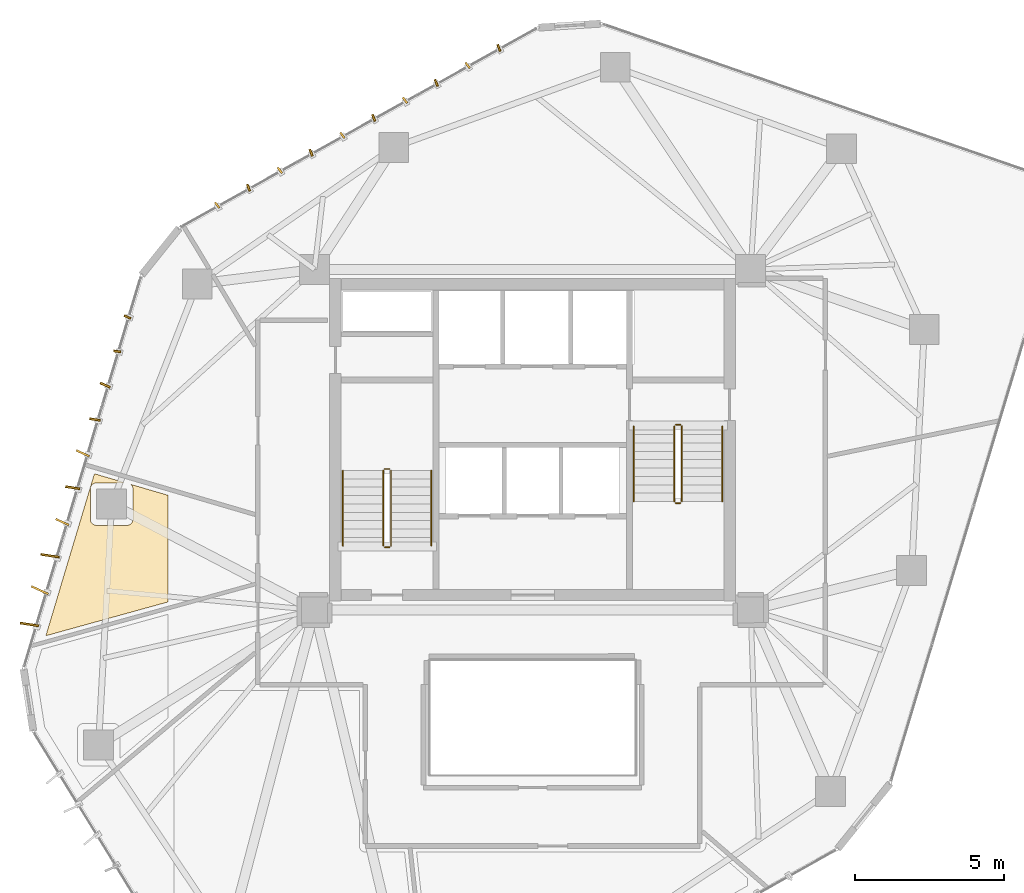
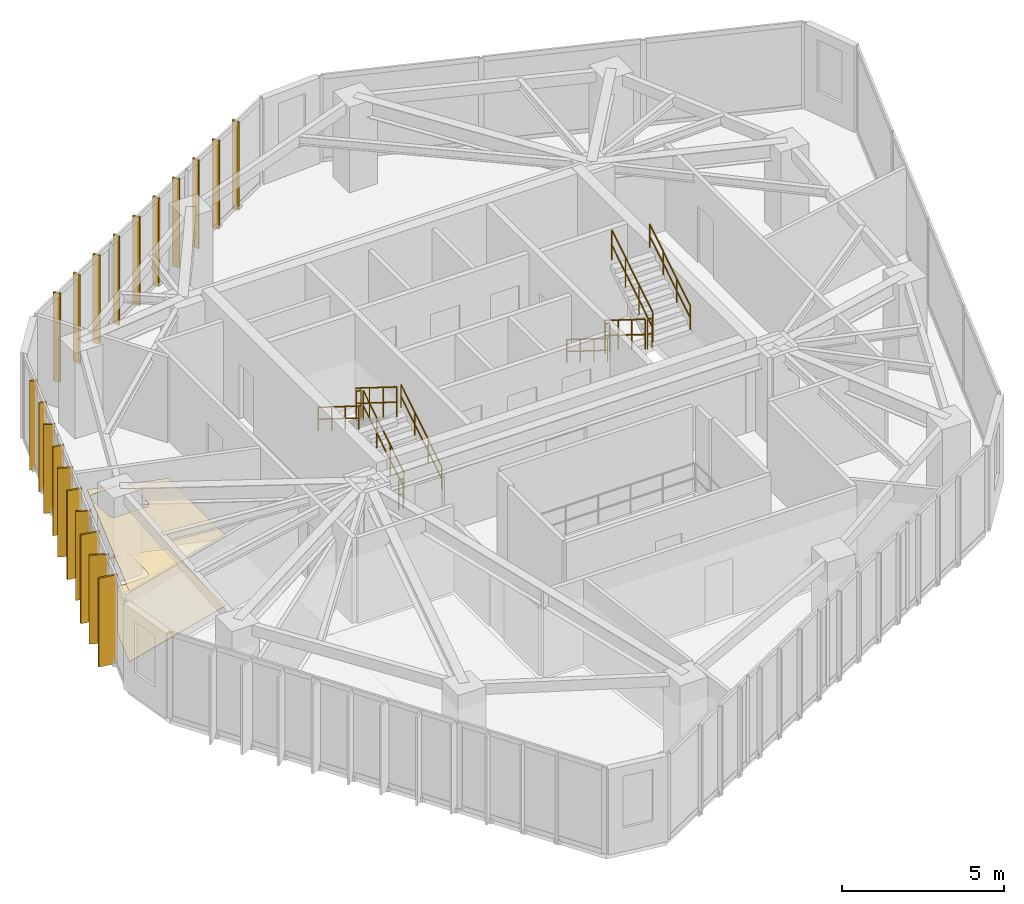
# One storey, part 19 of 19: 20 shading devices, 12 railings, 2 coverings.
"""IFC4 building model written with IfcOpenShell, lengths in metres."""

from ifc_helpers import new_model, si_unit, direction, frame, origin, origin_2d, place, context, subcontext, project, spatial, polyline, rectangle, circle, outline, extrude, source, transform, mapped, material, layer, layer_set, type_object, type_shapes, element, save


model = new_model("IFC4")

# Units and contexts
model_context = context("Model", 3, precision=1e-05, world=origin(), true_north=direction((0.0, 1.0)))
body_context = subcontext(model_context, "Body", "Model", "MODEL_VIEW")
ifc_project = project(units=[si_unit("LENGTHUNIT", "METRE"), si_unit("AREAUNIT", "SQUARE_METRE"), si_unit("VOLUMEUNIT", "CUBIC_METRE"), si_unit("PLANEANGLEUNIT", "RADIAN"), si_unit("MASSUNIT", "GRAM", prefix="KILO")], contexts=[model_context])

# Site, building, storey
site_placement = place(None, origin())
site = spatial("IfcSite", under=ifc_project, at=site_placement, CompositionType="ELEMENT")
building_placement = place(site_placement, origin())
building = spatial("IfcBuilding", under=site, at=building_placement, Name="Talar Marvaseh", CompositionType="ELEMENT")
storey_placement = place(building_placement, frame((0.0, 0.0, 177.5)))
storey = spatial("IfcBuildingStorey", under=building, at=storey_placement, Name="L46", CompositionType="ELEMENT", Elevation=177.5)

# Railings
ifc_material_1 = material(Name="Stainless Steel Grade 316", Category="steel")
railing_type_1 = type_object("IfcRailingType", Name="Brushed Stainless Wall Pitch Handrail 900", PredefinedType="HANDRAIL", material=ifc_material_1)
railing_1_placement = place(storey_placement, frame((22.610107421875, 27.64990234375, 0.175048828125)))
element("IfcRailing", 1, at=railing_1_placement, inside=storey, type_object=railing_type_1, Name="L46 ST-1 stair handrail 1", PredefinedType="HANDRAIL", context=body_context, shape_type="SweptSolid", body=[
    extrude(circle(Radius=0.02392578125, at=origin_2d()), frame((0.0, 0.0, 0.8759765625), z_axis=(0.0, 0.848007534815, 0.529984170421), x_axis=(-1.0, 0.0, 0.0)), (0.0, 0.0, 1.0), 2.9716796875),
    extrude(circle(Radius=0.02392578125, at=origin_2d()), frame((0.0, 0.0, 0.42578125), z_axis=(0.0, 0.848007534815, 0.529984170421), x_axis=(-1.0, 0.0, 0.0)), (0.0, 0.0, 1.0), 2.9716796875),
    extrude(circle(Radius=0.02099609375, at=origin_2d()), origin(), (0.0, 0.0, 1.0), 0.851806640625),
    extrude(circle(Radius=0.02099609375, at=origin_2d()), frame((0.0, 0.840087890625, 0.52490234375)), (0.0, 0.0, 1.0), 0.851806640625),
    extrude(circle(Radius=0.02099609375, at=origin_2d()), frame((0.0, 1.679931640625, 1.050048828125)), (0.0, 0.0, 1.0), 0.851806640625),
    extrude(circle(Radius=0.02099609375, at=origin_2d()), frame((0.0, 2.52001953125, 1.574951171875)), (0.0, 0.0, 1.0), 0.851806640625),
])
for number, where, name in (
    (2, (19.64990234375, 30.169921875, 1.925048828125), "L46 ST-1 stair handrail 2"),
    (3, (29.389892578125, 31.64990234375, 0.175048828125), "L46 ST-2 stair handrail 1"),
):
    element("IfcRailing", number, at=place(storey_placement, frame(where)), inside=storey, type_object=railing_type_1, Name=name, PredefinedType="HANDRAIL", context=body_context, shape_type="SweptSolid", body=[
        extrude(circle(Radius=0.02392578125, at=origin_2d()), frame((0.0, 0.0, 0.8759765625), z_axis=(0.0, -0.848007534815, 0.529984170421), x_axis=(1.0, 0.0, 0.0)), (0.0, 0.0, 1.0), 2.9716796875),
        extrude(circle(Radius=0.02392578125, at=origin_2d()), frame((0.0, 0.0, 0.42578125), z_axis=(0.0, -0.848007534815, 0.529984170421), x_axis=(1.0, 0.0, 0.0)), (0.0, 0.0, 1.0), 2.9716796875),
        extrude(circle(Radius=0.02099609375, at=origin_2d()), origin(), (0.0, 0.0, 1.0), 0.851806640625),
        extrude(circle(Radius=0.02099609375, at=origin_2d()), frame((0.0, -0.840087890625, 0.52490234375)), (0.0, 0.0, 1.0), 0.851806640625),
        extrude(circle(Radius=0.02099609375, at=origin_2d()), frame((0.0, -1.679931640625, 1.050048828125)), (0.0, 0.0, 1.0), 0.851806640625),
        extrude(circle(Radius=0.02099609375, at=origin_2d()), frame((0.0, -2.52001953125, 1.574951171875)), (0.0, 0.0, 1.0), 0.851806640625),
    ])
railing_2_placement = place(storey_placement, frame((32.35009765625, 29.1298828125, 1.925048828125)))
element("IfcRailing", 4, at=railing_2_placement, inside=storey, type_object=railing_type_1, Name="L46 ST-2 stair handrail 2", PredefinedType="HANDRAIL", context=body_context, shape_type="SweptSolid", body=[
    extrude(circle(Radius=0.02392578125, at=origin_2d()), frame((0.0, 0.0, 0.8759765625), z_axis=(0.0, 0.848007534815, 0.529984170421), x_axis=(-1.0, 0.0, 0.0)), (0.0, 0.0, 1.0), 2.9716796875),
    extrude(circle(Radius=0.02392578125, at=origin_2d()), frame((0.0, 0.0, 0.42578125), z_axis=(0.0, 0.848007534815, 0.529984170421), x_axis=(-1.0, 0.0, 0.0)), (0.0, 0.0, 1.0), 2.9716796875),
    extrude(circle(Radius=0.02099609375, at=origin_2d()), origin(), (0.0, 0.0, 1.0), 0.851806640625),
    extrude(circle(Radius=0.02099609375, at=origin_2d()), frame((0.0, 0.840087890625, 0.52490234375)), (0.0, 0.0, 1.0), 0.851806640625),
    extrude(circle(Radius=0.02099609375, at=origin_2d()), frame((0.0, 1.679931640625, 1.050048828125)), (0.0, 0.0, 1.0), 0.851806640625),
    extrude(circle(Radius=0.02099609375, at=origin_2d()), frame((0.0, 2.52001953125, 1.574951171875)), (0.0, 0.0, 1.0), 0.851806640625),
])
railing_type_2 = type_object("IfcRailingType", Name="Painted Steel Core Stair Well Guardrail 1150", PredefinedType="GUARDRAIL", material=ifc_material_1)
railing_3_placement = place(storey_placement, frame((21.260009765625, 27.64990234375, 0.175048828125)))
element("IfcRailing", 5, at=railing_3_placement, inside=storey, type_object=railing_type_2, Name="L46 ST-1 stair guard 1", PredefinedType="GUARDRAIL", context=body_context, shape_type="SweptSolid", body=[
    extrude(circle(Radius=0.02392578125, at=origin_2d()), frame((0.0, 0.0, 1.1259765625), z_axis=(0.0, 0.848007534815, 0.529984170421), x_axis=(-1.0, 0.0, 0.0)), (0.0, 0.0, 1.0), 2.9716796875),
    extrude(circle(Radius=0.02392578125, at=origin_2d()), frame((0.0, 0.0, 0.55078125), z_axis=(0.0, 0.848007534815, 0.529984170421), x_axis=(-1.0, 0.0, 0.0)), (0.0, 0.0, 1.0), 2.9716796875),
    extrude(circle(Radius=0.02099609375, at=origin_2d()), origin(), (0.0, 0.0, 1.0), 1.101806640625),
    extrude(circle(Radius=0.02099609375, at=origin_2d()), frame((0.0, 0.840087890625, 0.52490234375)), (0.0, 0.0, 1.0), 1.101806640625),
    extrude(circle(Radius=0.02099609375, at=origin_2d()), frame((0.0, 1.679931640625, 1.050048828125)), (0.0, 0.0, 1.0), 1.101806640625),
    extrude(circle(Radius=0.02099609375, at=origin_2d()), frame((0.0, 2.52001953125, 1.574951171875)), (0.0, 0.0, 1.0), 1.101806640625),
])
railing_4_placement = place(storey_placement, frame((21.2099609375, 30.219970703125, 1.75)))
element("IfcRailing", 6, at=railing_4_placement, inside=storey, type_object=railing_type_2, Name="L46 ST-1 stair guard 2", PredefinedType="GUARDRAIL", context=body_context, shape_type="SweptSolid", body=[
    extrude(circle(Radius=0.02392578125, at=origin_2d()), frame((0.0, 0.0, 1.1259765625), z_axis=(-1.0, 0.0, 0.0), x_axis=(0.0, -1.0, 0.0)), (0.0, 0.0, 1.0), 0.159912109375),
    extrude(circle(Radius=0.02392578125, at=origin_2d()), frame((0.0, 0.0, 0.55078125), z_axis=(-1.0, 0.0, 0.0), x_axis=(0.0, -1.0, 0.0)), (0.0, 0.0, 1.0), 0.159912109375),
    extrude(circle(Radius=0.02099609375, at=origin_2d()), origin(), (0.0, 0.0, 1.0), 1.101806640625),
    extrude(circle(Radius=0.02099609375, at=origin_2d()), frame((-0.159912109375, 0.0, 0.0)), (0.0, 0.0, 1.0), 1.101806640625),
])
railing_5_placement = place(storey_placement, frame((21.0, 30.169921875, 1.925048828125)))
element("IfcRailing", 7, at=railing_5_placement, inside=storey, type_object=railing_type_2, Name="L46 ST-1 stair guard 3", PredefinedType="GUARDRAIL", context=body_context, shape_type="SweptSolid", body=[
    extrude(circle(Radius=0.02392578125, at=origin_2d()), frame((0.0, 0.0, 1.1259765625), z_axis=(0.0, -0.848007534815, 0.529984170421), x_axis=(1.0, 0.0, 0.0)), (0.0, 0.0, 1.0), 2.9716796875),
    extrude(circle(Radius=0.02392578125, at=origin_2d()), frame((0.0, 0.0, 0.55078125), z_axis=(0.0, -0.848007534815, 0.529984170421), x_axis=(1.0, 0.0, 0.0)), (0.0, 0.0, 1.0), 2.9716796875),
    extrude(circle(Radius=0.02099609375, at=origin_2d()), origin(), (0.0, 0.0, 1.0), 1.101806640625),
    extrude(circle(Radius=0.02099609375, at=origin_2d()), frame((0.0, -0.840087890625, 0.52490234375)), (0.0, 0.0, 1.0), 1.101806640625),
    extrude(circle(Radius=0.02099609375, at=origin_2d()), frame((0.0, -1.679931640625, 1.050048828125)), (0.0, 0.0, 1.0), 1.101806640625),
    extrude(circle(Radius=0.02099609375, at=origin_2d()), frame((0.0, -2.52001953125, 1.574951171875)), (0.0, 0.0, 1.0), 1.101806640625),
])
railing_6_placement = place(storey_placement, frame((21.2099609375, 27.60009765625, 0.0)))
element("IfcRailing", 8, at=railing_6_placement, inside=storey, type_object=railing_type_2, Name="L46 ST-1 stair guard 4", PredefinedType="GUARDRAIL", context=body_context, shape_type="SweptSolid", body=[
    extrude(circle(Radius=0.02392578125, at=origin_2d()), frame((0.0, 0.0, 1.1259765625), z_axis=(-1.0, 0.0, 0.0), x_axis=(0.0, -1.0, 0.0)), (0.0, 0.0, 1.0), 0.159912109375),
    extrude(circle(Radius=0.02392578125, at=origin_2d()), frame((0.0, 0.0, 0.55078125), z_axis=(-1.0, 0.0, 0.0), x_axis=(0.0, -1.0, 0.0)), (0.0, 0.0, 1.0), 0.159912109375),
    extrude(circle(Radius=0.02099609375, at=origin_2d()), origin(), (0.0, 0.0, 1.0), 1.101806640625),
    extrude(circle(Radius=0.02099609375, at=origin_2d()), frame((-0.159912109375, 0.0, 0.0)), (0.0, 0.0, 1.0), 1.101806640625),
])
railing_7_placement = place(storey_placement, frame((30.739990234375, 31.64990234375, 0.175048828125)))
element("IfcRailing", 9, at=railing_7_placement, inside=storey, type_object=railing_type_2, Name="L46 ST-2 stair guard 1", PredefinedType="GUARDRAIL", context=body_context, shape_type="SweptSolid", body=[
    extrude(circle(Radius=0.02392578125, at=origin_2d()), frame((0.0, 0.0, 1.1259765625), z_axis=(0.0, -0.848007534815, 0.529984170421), x_axis=(1.0, 0.0, 0.0)), (0.0, 0.0, 1.0), 2.9716796875),
    extrude(circle(Radius=0.02392578125, at=origin_2d()), frame((0.0, 0.0, 0.55078125), z_axis=(0.0, -0.848007534815, 0.529984170421), x_axis=(1.0, 0.0, 0.0)), (0.0, 0.0, 1.0), 2.9716796875),
    extrude(circle(Radius=0.02099609375, at=origin_2d()), origin(), (0.0, 0.0, 1.0), 1.101806640625),
    extrude(circle(Radius=0.02099609375, at=origin_2d()), frame((0.0, -0.840087890625, 0.52490234375)), (0.0, 0.0, 1.0), 1.101806640625),
    extrude(circle(Radius=0.02099609375, at=origin_2d()), frame((0.0, -1.679931640625, 1.050048828125)), (0.0, 0.0, 1.0), 1.101806640625),
    extrude(circle(Radius=0.02099609375, at=origin_2d()), frame((0.0, -2.52001953125, 1.574951171875)), (0.0, 0.0, 1.0), 1.101806640625),
])
railing_8_placement = place(storey_placement, frame((30.7900390625, 29.080078125, 1.75)))
element("IfcRailing", 10, at=railing_8_placement, inside=storey, type_object=railing_type_2, Name="L46 ST-2 stair guard 2", PredefinedType="GUARDRAIL", context=body_context, shape_type="SweptSolid", body=[
    extrude(circle(Radius=0.02392578125, at=origin_2d()), frame((0.0, 0.0, 1.1259765625), z_axis=(1.0, 0.0, 0.0), x_axis=(0.0, 1.0, 0.0)), (0.0, 0.0, 1.0), 0.159912109375),
    extrude(circle(Radius=0.02392578125, at=origin_2d()), frame((0.0, 0.0, 0.55078125), z_axis=(1.0, 0.0, 0.0), x_axis=(0.0, 1.0, 0.0)), (0.0, 0.0, 1.0), 0.159912109375),
    extrude(circle(Radius=0.02099609375, at=origin_2d()), origin(), (0.0, 0.0, 1.0), 1.101806640625),
    extrude(circle(Radius=0.02099609375, at=origin_2d()), frame((0.159912109375, 0.0, 0.0)), (0.0, 0.0, 1.0), 1.101806640625),
])
railing_9_placement = place(storey_placement, frame((31.0, 29.1298828125, 1.925048828125)))
element("IfcRailing", 11, at=railing_9_placement, inside=storey, type_object=railing_type_2, Name="L46 ST-2 stair guard 3", PredefinedType="GUARDRAIL", context=body_context, shape_type="SweptSolid", body=[
    extrude(circle(Radius=0.02392578125, at=origin_2d()), frame((0.0, 0.0, 1.1259765625), z_axis=(0.0, 0.848007534815, 0.529984170421), x_axis=(-1.0, 0.0, 0.0)), (0.0, 0.0, 1.0), 2.9716796875),
    extrude(circle(Radius=0.02392578125, at=origin_2d()), frame((0.0, 0.0, 0.55078125), z_axis=(0.0, 0.848007534815, 0.529984170421), x_axis=(-1.0, 0.0, 0.0)), (0.0, 0.0, 1.0), 2.9716796875),
    extrude(circle(Radius=0.02099609375, at=origin_2d()), origin(), (0.0, 0.0, 1.0), 1.101806640625),
    extrude(circle(Radius=0.02099609375, at=origin_2d()), frame((0.0, 0.840087890625, 0.52490234375)), (0.0, 0.0, 1.0), 1.101806640625),
    extrude(circle(Radius=0.02099609375, at=origin_2d()), frame((0.0, 1.679931640625, 1.050048828125)), (0.0, 0.0, 1.0), 1.101806640625),
    extrude(circle(Radius=0.02099609375, at=origin_2d()), frame((0.0, 2.52001953125, 1.574951171875)), (0.0, 0.0, 1.0), 1.101806640625),
])
railing_10_placement = place(storey_placement, frame((30.7900390625, 31.699951171875, 0.0)))
element("IfcRailing", 12, at=railing_10_placement, inside=storey, type_object=railing_type_2, Name="L46 ST-2 stair guard 4", PredefinedType="GUARDRAIL", context=body_context, shape_type="SweptSolid", body=[
    extrude(circle(Radius=0.02392578125, at=origin_2d()), frame((0.0, 0.0, 1.1259765625), z_axis=(1.0, 0.0, 0.0), x_axis=(0.0, 1.0, 0.0)), (0.0, 0.0, 1.0), 0.159912109375),
    extrude(circle(Radius=0.02392578125, at=origin_2d()), frame((0.0, 0.0, 0.55078125), z_axis=(1.0, 0.0, 0.0), x_axis=(0.0, 1.0, 0.0)), (0.0, 0.0, 1.0), 0.159912109375),
    extrude(circle(Radius=0.02099609375, at=origin_2d()), origin(), (0.0, 0.0, 1.0), 1.101806640625),
    extrude(circle(Radius=0.02099609375, at=origin_2d()), frame((0.159912109375, 0.0, 0.0)), (0.0, 0.0, 1.0), 1.101806640625),
])

# Coverings
ifc_material_2 = material(Name="Mineral Fibre Acoustic Ceiling")
ifc_layer_1 = layer(ifc_material_2, 0.02490234375)
ifc_layer_set_1 = layer_set([ifc_layer_1], Name="Mineral Fibre Acoustic Ceiling")
covering_type_1 = type_object("IfcCoveringType", Name="Perforated Mineral Fibre Acoustic Suspended Ceiling", PredefinedType="CEILING", material=ifc_layer_set_1)
covering_1_placement = place(storey_placement, frame((0.0, 0.0, 2.64990234375)))
element("IfcCovering", 13, at=covering_1_placement, inside=storey, type_object=covering_type_1, Name="L46 Accessible WC Acoustic Ceiling", PredefinedType="CEILING", context=body_context, shape_type="SweptSolid", body=[
    extrude(outline(polyline([(11.3779296875, 29.754638671875), (11.358642578125, 29.751708984375), (11.339599609375, 29.746826171875), (11.3212890625, 29.739990234375), (11.3037109375, 29.731689453125), (11.286865234375, 29.7216796875), (11.27099609375, 29.7099609375), (11.256591796875, 29.69677734375), (11.24365234375, 29.68212890625), (11.23193359375, 29.66650390625), (11.221923828125, 29.649658203125), (11.21337890625, 29.6318359375), (11.20703125, 29.613525390625), (11.2021484375, 29.594482421875), (11.199462890625, 29.5751953125), (11.198486328125, 29.5556640625), (11.198486328125, 28.534423828125), (11.199462890625, 28.514892578125), (11.2021484375, 28.495361328125), (11.20703125, 28.476318359375), (11.213623046875, 28.4580078125), (11.221923828125, 28.440185546875), (11.232177734375, 28.42333984375), (11.243896484375, 28.407470703125), (11.257080078125, 28.39306640625), (11.271484375, 28.3798828125), (11.287353515625, 28.3681640625), (11.30419921875, 28.35791015625), (11.322021484375, 28.349609375), (11.34033203125, 28.343017578125), (11.359375, 28.338134765625), (11.37890625, 28.33544921875), (11.3984375, 28.33447265625), (12.419677734375, 28.33447265625), (12.439208984375, 28.33544921875), (12.45849609375, 28.338134765625), (12.4775390625, 28.343017578125), (12.495849609375, 28.349609375), (12.513671875, 28.35791015625), (12.530517578125, 28.367919921875), (12.546142578125, 28.379638671875), (12.560791015625, 28.392578125), (12.573974609375, 28.4072265625), (12.585693359375, 28.4228515625), (12.595703125, 28.439697265625), (12.60400390625, 28.457275390625), (12.61083984375, 28.4755859375), (12.615478515625, 28.49462890625), (12.61865234375, 28.513916015625), (12.61962890625, 28.53369140625), (12.623779296875, 29.545654296875), (12.623046875, 29.564208984375), (12.62060546875, 29.582763671875), (12.616455078125, 29.600830078125), (12.610595703125, 29.61865234375), (12.602783203125, 29.635498046875), (12.593994140625, 29.65185546875), (12.583251953125, 29.667236328125), (12.5712890625, 29.681640625), (12.55810546875, 29.694580078125), (12.54638671875, 29.705322265625), (13.800048828125, 29.3388671875), (13.800048828125, 25.7705078125), (9.707275390625, 24.637939453125), (11.332275390625, 30.060546875), (12.3603515625, 29.759765625), (11.3974609375, 29.755615234375), (11.3779296875, 29.754638671875)])), origin(), (0.0, 0.0, 1.0), 0.025146484375),
])
ifc_material_3 = material(Name="Porcelain Stoneware Tile", Category="masonry")
ifc_layer_2 = layer(ifc_material_3, 0.02001953125)
ifc_layer_set_2 = layer_set([ifc_layer_2], Name="Porcelain Stoneware Tile")
covering_type_2 = type_object("IfcCoveringType", Name="Polished Porcelain Stoneware Gallery Flooring", PredefinedType="FLOORING", material=ifc_layer_set_2)
covering_2_placement = place(storey_placement, origin())
element("IfcCovering", 14, at=covering_2_placement, inside=storey, type_object=covering_type_2, Name="L46 Accessible WC Flooring", PredefinedType="FLOORING", context=body_context, shape_type="SweptSolid", body=[
    extrude(outline(polyline([(11.3779296875, 29.754638671875), (11.358642578125, 29.751708984375), (11.339599609375, 29.746826171875), (11.3212890625, 29.739990234375), (11.3037109375, 29.731689453125), (11.286865234375, 29.7216796875), (11.27099609375, 29.7099609375), (11.256591796875, 29.69677734375), (11.24365234375, 29.68212890625), (11.23193359375, 29.66650390625), (11.221923828125, 29.649658203125), (11.21337890625, 29.6318359375), (11.20703125, 29.613525390625), (11.2021484375, 29.594482421875), (11.199462890625, 29.5751953125), (11.198486328125, 29.5556640625), (11.198486328125, 28.534423828125), (11.199462890625, 28.514892578125), (11.2021484375, 28.495361328125), (11.20703125, 28.476318359375), (11.213623046875, 28.4580078125), (11.221923828125, 28.440185546875), (11.232177734375, 28.42333984375), (11.243896484375, 28.407470703125), (11.257080078125, 28.39306640625), (11.271484375, 28.3798828125), (11.287353515625, 28.3681640625), (11.30419921875, 28.35791015625), (11.322021484375, 28.349609375), (11.34033203125, 28.343017578125), (11.359375, 28.338134765625), (11.37890625, 28.33544921875), (11.3984375, 28.33447265625), (12.419677734375, 28.33447265625), (12.439208984375, 28.33544921875), (12.45849609375, 28.338134765625), (12.4775390625, 28.343017578125), (12.495849609375, 28.349609375), (12.513671875, 28.35791015625), (12.530517578125, 28.367919921875), (12.546142578125, 28.379638671875), (12.560791015625, 28.392578125), (12.573974609375, 28.4072265625), (12.585693359375, 28.4228515625), (12.595703125, 28.439697265625), (12.60400390625, 28.457275390625), (12.61083984375, 28.4755859375), (12.615478515625, 28.49462890625), (12.61865234375, 28.513916015625), (12.61962890625, 28.53369140625), (12.623779296875, 29.545654296875), (12.623046875, 29.564208984375), (12.62060546875, 29.582763671875), (12.616455078125, 29.600830078125), (12.610595703125, 29.61865234375), (12.602783203125, 29.635498046875), (12.593994140625, 29.65185546875), (12.583251953125, 29.667236328125), (12.5712890625, 29.681640625), (12.55810546875, 29.694580078125), (12.54638671875, 29.705322265625), (13.800048828125, 29.3388671875), (13.800048828125, 25.7705078125), (9.707275390625, 24.637939453125), (11.332275390625, 30.060546875), (12.3603515625, 29.759765625), (11.3974609375, 29.755615234375), (11.3779296875, 29.754638671875)])), origin(), (0.0, 0.0, 1.0), 0.02001953125),
])

# Shading devices
ifc_material_4 = material(Name="Anodised Champagne Bronze Aluminium", Category="aluminium")
ifc_layer_3 = layer(ifc_material_4, 0.06494140625)
ifc_layer_set_3 = layer_set([ifc_layer_3], Name="Anodised Champagne Bronze Aluminium")
shading_device_type_1 = type_object("IfcShadingDeviceType", Name="Sawtooth Champagne Bronze Vertical Fin 240", PredefinedType="USERDEFINED", material=ifc_layer_set_3)
shared_shape_1 = source(origin(), body_context, "Body", "SweptSolid", [
    extrude(rectangle(XDim=0.239990234375, YDim=0.06494140625, at=origin_2d()), origin(), (0.0, 0.0, 1.0), 3.35009765625),
])
type_shapes(shading_device_type_1, [shared_shape_1])
for number, where, z_axis, x_axis, name in (
    (15, (12.09521484375, 34.156982421875, -0.1201171875), (0.0, 0.0, 1.0), (-0.988546626572, 0.15091576158, 0.0), "L46 Sawtooth Vertical Solar Fin"),
    (16, (12.439697265625, 35.306396484375, -0.1201171875), (0.0, 0.0, 1.0), (-0.9086539853, 0.41754991917, 0.0), "L46 Sawtooth Vertical Solar Fin"),
    (17, (15.443603515625, 39.049072265625, -0.1201171875), (0.0, 0.0, 1.0), (-0.604321036641, 0.796740914397, 0.0), "L46 Sawtooth Vertical Solar Fin"),
    (18, (16.4912109375, 39.63427734375, -0.1201171875), (0.0, 0.0, 1.0), (-0.361299105657, 0.932449975201, 0.0), "L46 Sawtooth Vertical Solar Fin"),
    (19, (17.538818359375, 40.219482421875, -0.1201171875), (0.0, 0.0, 1.0), (-0.604321036641, 0.796740914397, 0.0), "L46 Sawtooth Vertical Solar Fin"),
    (20, (18.586669921875, 40.804443359375, -0.1201171875), (0.0, 0.0, 1.0), (-0.361299105657, 0.932449975201, 0.0), "L46 Sawtooth Vertical Solar Fin"),
    (21, (19.63427734375, 41.3896484375, -0.1201171875), (0.0, 0.0, 1.0), (-0.604321036641, 0.796740914397, 0.0), "L46 Sawtooth Vertical Solar Fin"),
    (22, (20.681884765625, 41.974609375, -0.1201171875), (0.0, 0.0, 1.0), (-0.361299105657, 0.932449975201, 0.0), "L46 Sawtooth Vertical Solar Fin"),
    (23, (21.729736328125, 42.559814453125, -0.1201171875), (0.0, 0.0, 1.0), (-0.604321036641, 0.796740914397, 0.0), "L46 Sawtooth Vertical Solar Fin"),
    (24, (22.77734375, 43.14501953125, -0.1201171875), (0.0, 0.0, 1.0), (-0.361299105657, 0.932449975201, 0.0), "L46 Sawtooth Vertical Solar Fin"),
    (25, (23.8251953125, 43.72998046875, -0.1201171875), (0.0, 0.0, 1.0), (-0.604321036641, 0.796740914397, 0.0), "L46 Sawtooth Vertical Solar Fin"),
    (26, (24.872802734375, 44.315185546875, -0.1201171875), (0.0, 0.0, 1.0), (-0.361299105657, 0.932449975201, 0.0), "L46 Sawtooth Vertical Solar Fin"),
):
    element("IfcShadingDevice", number, at=place(storey_placement, frame(where, z_axis=z_axis, x_axis=x_axis)), inside=storey, type_object=shading_device_type_1, Name=name, ObjectType="FIN", PredefinedType="USERDEFINED", context=body_context, shape_type="MappedRepresentation", body=[
        mapped(shared_shape_1, transform((0.0, 0.0, 0.0), x_axis=(1.0, 0.0, 0.0), y_axis=(0.0, 1.0, 0.0), z_axis=(0.0, 0.0, 1.0), scale=1.0)),
    ])
ifc_layer_4 = layer(ifc_material_4, 0.06494140625)
ifc_layer_set_4 = layer_set([ifc_layer_4], Name="Anodised Champagne Bronze Aluminium")
shading_device_type_2 = type_object("IfcShadingDeviceType", Name="Sawtooth Champagne Bronze Vertical Fin 360", PredefinedType="USERDEFINED", material=ifc_layer_set_4)
shared_shape_2 = source(origin(), body_context, "Body", "SweptSolid", [
    extrude(rectangle(XDim=0.360107421875, YDim=0.06494140625, at=origin_2d()), origin(), (0.0, 0.0, 1.0), 3.35009765625),
])
type_shapes(shading_device_type_2, [shared_shape_2])
for number, where, z_axis, x_axis, name in (
    (27, (11.348876953125, 31.875244140625, -0.1201171875), (0.0, 0.0, 1.0), (-0.988546626572, 0.15091576158, 0.0), "L46 Sawtooth Vertical Solar Fin"),
    (28, (11.693359375, 33.02490234375, -0.1201171875), (0.0, 0.0, 1.0), (-0.9086539853, 0.41754991917, 0.0), "L46 Sawtooth Vertical Solar Fin"),
):
    element("IfcShadingDevice", number, at=place(storey_placement, frame(where, z_axis=z_axis, x_axis=x_axis)), inside=storey, type_object=shading_device_type_2, Name=name, ObjectType="FIN", PredefinedType="USERDEFINED", context=body_context, shape_type="MappedRepresentation", body=[
        mapped(shared_shape_2, transform((0.0, 0.0, 0.0), x_axis=(1.0, 0.0, 0.0), y_axis=(0.0, 1.0, 0.0), z_axis=(0.0, 0.0, 1.0), scale=1.0)),
    ])
ifc_layer_5 = layer(ifc_material_4, 0.06494140625)
ifc_layer_set_5 = layer_set([ifc_layer_5], Name="Anodised Champagne Bronze Aluminium")
shading_device_type_3 = type_object("IfcShadingDeviceType", Name="Sawtooth Champagne Bronze Vertical Fin 480", PredefinedType="USERDEFINED", material=ifc_layer_set_5)
shared_shape_3 = source(origin(), body_context, "Body", "SweptSolid", [
    extrude(rectangle(XDim=0.47998046875, YDim=0.06494140625, at=origin_2d()), origin(), (0.0, 0.0, 1.0), 3.35009765625),
])
type_shapes(shading_device_type_3, [shared_shape_3])
for number, where, z_axis, x_axis, name in (
    (29, (10.258056640625, 28.444091796875, -0.1201171875), (0.0, 0.0, 1.0), (-0.9086539853, 0.41754991917, 0.0), "L46 Sawtooth Vertical Solar Fin"),
    (30, (10.602294921875, 29.593505859375, -0.1201171875), (0.0, 0.0, 1.0), (-0.988546626572, 0.15091576158, 0.0), "L46 Sawtooth Vertical Solar Fin"),
    (31, (10.947021484375, 30.742919921875, -0.1201171875), (0.0, 0.0, 1.0), (-0.9086539853, 0.41754991917, 0.0), "L46 Sawtooth Vertical Solar Fin"),
):
    element("IfcShadingDevice", number, at=place(storey_placement, frame(where, z_axis=z_axis, x_axis=x_axis)), inside=storey, type_object=shading_device_type_3, Name=name, ObjectType="FIN", PredefinedType="USERDEFINED", context=body_context, shape_type="MappedRepresentation", body=[
        mapped(shared_shape_3, transform((0.0, 0.0, 0.0), x_axis=(1.0, 0.0, 0.0), y_axis=(0.0, 1.0, 0.0), z_axis=(0.0, 0.0, 1.0), scale=1.0)),
    ])
ifc_layer_6 = layer(ifc_material_4, 0.06494140625)
ifc_layer_set_6 = layer_set([ifc_layer_6], Name="Anodised Champagne Bronze Aluminium")
shading_device_type_4 = type_object("IfcShadingDeviceType", Name="Sawtooth Champagne Bronze Vertical Fin 620", PredefinedType="USERDEFINED", material=ifc_layer_set_6)
shared_shape_4 = source(origin(), body_context, "Body", "SweptSolid", [
    extrude(rectangle(XDim=0.6201171875, YDim=0.06494140625, at=origin_2d()), origin(), (0.0, 0.0, 1.0), 3.35009765625),
])
type_shapes(shading_device_type_4, [shared_shape_4])
for number, where, z_axis, x_axis, name in (
    (32, (9.157470703125, 25.015625, -0.1201171875), (0.0, 0.0, 1.0), (-0.988546626572, 0.15091576158, 0.0), "L46 Sawtooth Vertical Solar Fin"),
    (33, (9.501953125, 26.1650390625, -0.1201171875), (0.0, 0.0, 1.0), (-0.9086539853, 0.41754991917, 0.0), "L46 Sawtooth Vertical Solar Fin"),
    (34, (9.846435546875, 27.314697265625, -0.1201171875), (0.0, 0.0, 1.0), (-0.988546626572, 0.15091576158, 0.0), "L46 Sawtooth Vertical Solar Fin"),
):
    element("IfcShadingDevice", number, at=place(storey_placement, frame(where, z_axis=z_axis, x_axis=x_axis)), inside=storey, type_object=shading_device_type_4, Name=name, ObjectType="FIN", PredefinedType="USERDEFINED", context=body_context, shape_type="MappedRepresentation", body=[
        mapped(shared_shape_4, transform((0.0, 0.0, 0.0), x_axis=(1.0, 0.0, 0.0), y_axis=(0.0, 1.0, 0.0), z_axis=(0.0, 0.0, 1.0), scale=1.0)),
    ])

save(model, "model.ifc")
